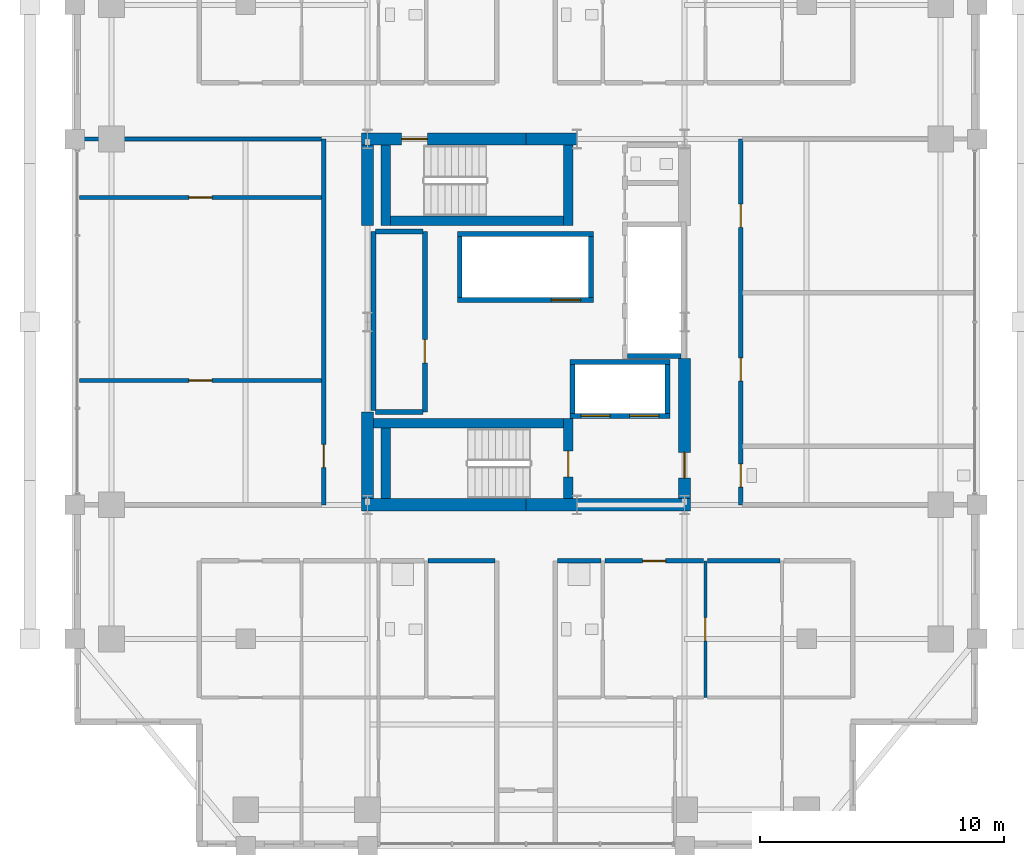
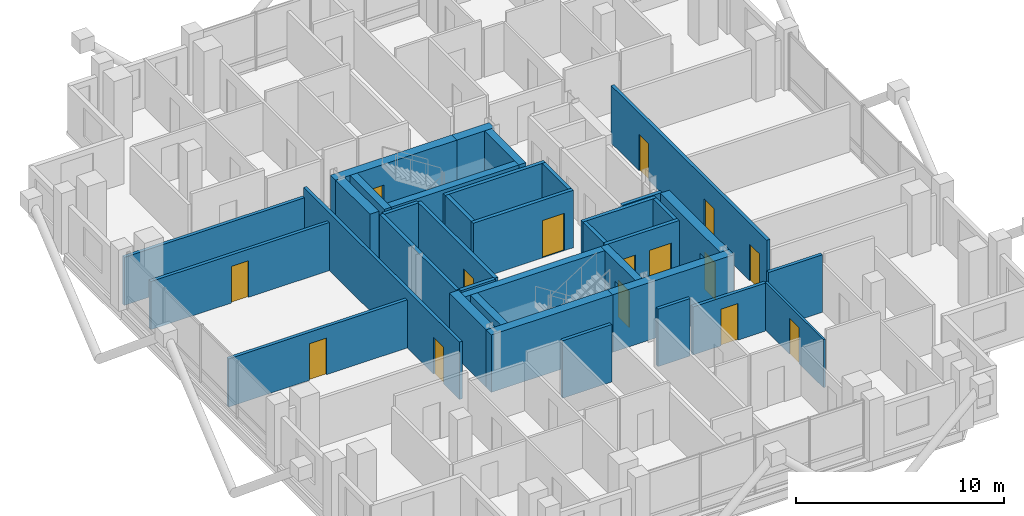
# One storey, part 19 of 24: 36 walls, 15 doors, 15 openings.
"""IFC4 building model written with IfcOpenShell, lengths in metres."""

from ifc_helpers import new_model, si_unit, direction, frame, frame_2d, origin, place, context, subcontext, project, spatial, rectangle, extrude, material, layer, layer_set, type_object, element, fill, save


model = new_model("IFC4")

# Units and contexts
model_context = context("Model", 3, precision=1e-05, world=origin(), true_north=direction((0.0, 1.0)))
body_context = subcontext(model_context, "Body", "Model", "MODEL_VIEW")
ifc_project = project(units=[si_unit("LENGTHUNIT", "METRE"), si_unit("AREAUNIT", "SQUARE_METRE"), si_unit("VOLUMEUNIT", "CUBIC_METRE"), si_unit("PLANEANGLEUNIT", "RADIAN"), si_unit("MASSUNIT", "GRAM", prefix="KILO")], contexts=[model_context])

# Site, building, storey
site_placement = place(None, origin())
site = spatial("IfcSite", under=ifc_project, at=site_placement, CompositionType="ELEMENT")
building_placement = place(site_placement, origin())
building = spatial("IfcBuilding", under=site, at=building_placement, Name="Barlavira Tower and Art Museum", CompositionType="ELEMENT")
storey_placement = place(building_placement, frame((0.0, 0.0, 194.39990234375)))
storey = spatial("IfcBuildingStorey", under=building, at=storey_placement, Name="L50", CompositionType="ELEMENT", Elevation=194.39990234375)

# Wall, opening, door
ifc_material_1 = material(Name="Gypsum acoustic stud partition", Category="gypsum")
ifc_layer_1 = layer(ifc_material_1, 0.1201171875, Name="Gypsum acoustic stud partition")
ifc_layer_set_1 = layer_set([ifc_layer_1], Name="Gypsum acoustic stud partition")
wall_type_1 = type_object("IfcWallType", Name="Apartment Internal Acoustic Partition 120", PredefinedType="PARTITIONING", material=ifc_layer_set_1)
wall_1_placement = place(storey_placement, frame((7.35009765625, -15.39990234375, 0.0), z_axis=(0.0, 0.0, 1.0), x_axis=(0.0, 1.0, 0.0)))
wall_1 = element("IfcWall", 1, at=wall_1_placement, inside=storey, type_object=wall_type_1, Name="L50 Partition Wall 21", PredefinedType="PARTITIONING", context=body_context, shape_type="SweptSolid", body=[
    extrude(rectangle(XDim=5.599853515625, YDim=0.1201171875, at=frame_2d((2.7998046875, 0.0))), origin(), (0.0, 0.0, 1.0), 2.826171875),
])
opening_1_placement = place(wall_1_placement, frame((2.324951171875, 0.0, 0.0)))
opening_1 = element("IfcOpeningElement", 2, at=opening_1_placement, cuts=wall_1, Name="Opening D-02", PredefinedType="OPENING", context=body_context, shape_type="SweptSolid", body=[
    extrude(rectangle(XDim=0.949951171875, YDim=2.10009765625, at=frame_2d((0.47509765625, 1.050048828125))), frame((0.0, 0.070068359375, 0.0), z_axis=(0.0, -1.0, 0.0), x_axis=(1.0, 0.0, 0.0)), (0.0, 0.0, 1.0), 0.14013671875),
])
ifc_material_2 = material(Name="Engineered coastal hardwood", Category="wood")
door_type_1 = type_object("IfcDoorType", Name="Living and Salon Glazed-Leaf Door 950x2100", OperationType="NOTDEFINED", PredefinedType="DOOR", material=ifc_material_2)
door_1_placement = place(opening_1_placement, origin())
door_1 = element("IfcDoor", 3, at=door_1_placement, inside=storey, type_object=door_type_1, Name="Apartment SE1 Kitchen Door", OperationType="SINGLE_SWING_LEFT", OverallHeight=2.10009765625, OverallWidth=0.949951171875, PredefinedType="DOOR", context=body_context, shape_type="SweptSolid", body=[
    extrude(rectangle(XDim=0.949951171875, YDim=2.10009765625, at=frame_2d((0.47509765625, 1.050048828125))), frame((0.0, 0.02490234375, 0.0), z_axis=(0.0, -1.0, 0.0), x_axis=(1.0, 0.0, 0.0)), (0.0, 0.0, 1.0), 0.050048828125),
])
fill(opening_1, door_1)

# Walls
ifc_material_3 = material(Name="Concrete C60", Category="concrete")
ifc_layer_2 = layer(ifc_material_3, 0.5, Name="Concrete C60")
ifc_layer_set_2 = layer_set([ifc_layer_2], Name="Concrete C60")
wall_type_2 = type_object("IfcWallType", Name="Core Structural Shear Wall 500 Concrete C60", PredefinedType="SHEAR", material=ifc_layer_set_2)
for number, where, z_axis, x_axis, name in (
    (4, (-6.75, -7.5, 0.0), (0.0, 0.0, 1.0), (1.0, 0.0, 0.0), "L50 Core Shear Wall CS-SW"),
    (5, (0.0, -7.5, 0.0), (0.0, 0.0, 1.0), (1.0, 0.0, 0.0), "L50 Core Shear Wall CS-SE"),
):
    element("IfcWall", number, at=place(storey_placement, frame(where, z_axis=z_axis, x_axis=x_axis)), inside=storey, type_object=wall_type_2, Name=name, PredefinedType="SHEAR", context=body_context, shape_type="SweptSolid", body=[
        extrude(rectangle(XDim=6.75, YDim=0.5, at=frame_2d((3.375, 0.0))), origin(), (0.0, 0.0, 1.0), 3.380126953125),
    ])

# Wall, opening, door
wall_2_placement = place(storey_placement, frame((-6.75, 7.5, 0.0), z_axis=(0.0, 0.0, 1.0), x_axis=(1.0, 0.0, 0.0)))
wall_2 = element("IfcWall", 6, at=wall_2_placement, inside=storey, type_object=wall_type_2, Name="L50 Core Shear Wall CS-NW", PredefinedType="SHEAR", context=body_context, shape_type="SweptSolid", body=[
    extrude(rectangle(XDim=6.75, YDim=0.5, at=frame_2d((3.375, 0.0))), origin(), (0.0, 0.0, 1.0), 3.380126953125),
])
opening_2_placement = place(wall_2_placement, frame((1.64990234375, 0.0, 0.0)))
opening_2 = element("IfcOpeningElement", 7, at=opening_2_placement, cuts=wall_2, Name="Opening FD-90", PredefinedType="OPENING", context=body_context, shape_type="SweptSolid", body=[
    extrude(rectangle(XDim=1.050048828125, YDim=2.14990234375, at=frame_2d((0.52490234375, 1.074951171875))), frame((0.0, 0.260009765625, 0.0), z_axis=(0.0, -1.0, 0.0), x_axis=(1.0, 0.0, 0.0)), (0.0, 0.0, 1.0), 0.52001953125),
])
ifc_material_4 = material(Name="Brushed stainless steel", Category="steel")
door_type_2 = type_object("IfcDoorType", Name="Stair and Refuge Fire Door 1050x2150 FD90S", OperationType="NOTDEFINED", PredefinedType="DOOR", material=ifc_material_4)
door_2_placement = place(opening_2_placement, origin())
door_2 = element("IfcDoor", 8, at=door_2_placement, inside=storey, type_object=door_type_2, Name="L50 Stair ST-T2 Fire Door", OperationType="SINGLE_SWING_LEFT", OverallHeight=2.14990234375, OverallWidth=1.050048828125, PredefinedType="DOOR", context=body_context, shape_type="SweptSolid", body=[
    extrude(rectangle(XDim=1.050048828125, YDim=2.14990234375, at=frame_2d((0.52490234375, 1.074951171875))), frame((0.0, 0.02490234375, 0.0), z_axis=(0.0, -1.0, 0.0), x_axis=(1.0, 0.0, 0.0)), (0.0, 0.0, 1.0), 0.050048828125),
])
fill(opening_2, door_2)

# Walls
wall_3_placement = place(storey_placement, frame((0.0, 7.5, 0.0), z_axis=(0.0, 0.0, 1.0), x_axis=(1.0, 0.0, 0.0)))
element("IfcWall", 9, at=wall_3_placement, inside=storey, type_object=wall_type_2, Name="L50 Core Shear Wall CS-EN", PredefinedType="SHEAR", context=body_context, shape_type="SweptSolid", body=[
    extrude(rectangle(XDim=2.080078125, YDim=0.5, at=frame_2d((1.0400390625, 0.0))), origin(), (0.0, 0.0, 1.0), 3.380126953125),
])
wall_4_placement = place(storey_placement, frame((-6.5, -7.25, 0.0), z_axis=(0.0, 0.0, 1.0), x_axis=(0.0, 1.0, 0.0)))
element("IfcWall", 10, at=wall_4_placement, inside=storey, type_object=wall_type_2, Name="L50 Core Shear Wall CS-W1", PredefinedType="SHEAR", context=body_context, shape_type="SweptSolid", body=[
    extrude(rectangle(XDim=3.550048828125, YDim=0.5, at=frame_2d((1.77490234375, 0.0))), origin(), (0.0, 0.0, 1.0), 3.380126953125),
])
wall_5_placement = place(storey_placement, frame((-6.5, 3.949951171875, 0.0), z_axis=(0.0, 0.0, 1.0), x_axis=(0.0, 1.0, 0.0)))
element("IfcWall", 11, at=wall_5_placement, inside=storey, type_object=wall_type_2, Name="L50 Core Shear Wall CS-W2", PredefinedType="SHEAR", context=body_context, shape_type="SweptSolid", body=[
    extrude(rectangle(XDim=3.300048828125, YDim=0.5, at=frame_2d((1.64990234375, 0.0))), origin(), (0.0, 0.0, 1.0), 3.380126953125),
])

# Wall, opening, door
wall_6_placement = place(storey_placement, frame((6.5, -7.25, 0.0), z_axis=(0.0, 0.0, 1.0), x_axis=(0.0, 1.0, 0.0)))
wall_6 = element("IfcWall", 12, at=wall_6_placement, inside=storey, type_object=wall_type_2, Name="L50 Core Shear Wall CS-E1", PredefinedType="SHEAR", context=body_context, shape_type="SweptSolid", body=[
    extrude(rectangle(XDim=5.75, YDim=0.5, at=frame_2d((2.875, 0.0))), origin(), (0.0, 0.0, 1.0), 3.380126953125),
])
opening_3_placement = place(wall_6_placement, frame((0.85009765625, 0.0, 0.0)))
opening_3 = element("IfcOpeningElement", 13, at=opening_3_placement, cuts=wall_6, Name="Opening FD-90", PredefinedType="OPENING", context=body_context, shape_type="SweptSolid", body=[
    extrude(rectangle(XDim=1.050048828125, YDim=2.14990234375, at=frame_2d((0.52490234375, 1.074951171875))), frame((0.0, 0.260009765625, 0.0), z_axis=(0.0, -1.0, 0.0), x_axis=(1.0, 0.0, 0.0)), (0.0, 0.0, 1.0), 0.52001953125),
])
door_3_placement = place(opening_3_placement, origin())
door_3 = element("IfcDoor", 14, at=door_3_placement, inside=storey, type_object=door_type_2, Name="L50 Firefighting Lobby Entry Fire Door", OperationType="SINGLE_SWING_LEFT", OverallHeight=2.14990234375, OverallWidth=1.050048828125, PredefinedType="DOOR", context=body_context, shape_type="SweptSolid", body=[
    extrude(rectangle(XDim=1.050048828125, YDim=2.14990234375, at=frame_2d((0.52490234375, 1.074951171875))), frame((0.0, 0.02490234375, 0.0), z_axis=(0.0, -1.0, 0.0), x_axis=(1.0, 0.0, 0.0)), (0.0, 0.0, 1.0), 0.050048828125),
])
fill(opening_3, door_3)

# Wall
ifc_material_5 = material(Name="Autoclaved aerated concrete masonry", Category="masonry")
ifc_layer_3 = layer(ifc_material_5, 0.199951171875, Name="Autoclaved aerated concrete masonry")
ifc_layer_set_3 = layer_set([ifc_layer_3], Name="Autoclaved aerated concrete masonry")
wall_type_3 = type_object("IfcWallType", Name="Fire Compartment and Shaft Wall 200", PredefinedType="SOLIDWALL", material=ifc_layer_set_3)
wall_7_placement = place(storey_placement, frame((4.14990234375, -1.389892578125, 0.0), z_axis=(0.0, 0.0, 1.0), x_axis=(1.0, 0.0, 0.0)))
element("IfcWall", 15, at=wall_7_placement, inside=storey, type_object=wall_type_3, Name="L50 Mid-Rise Lift South Shaft Wall", PredefinedType="SOLIDWALL", context=body_context, shape_type="SweptSolid", body=[
    extrude(rectangle(XDim=2.2001953125, YDim=0.199951171875, at=frame_2d((1.10009765625, 0.0))), origin(), (0.0, 0.0, 1.0), 3.380126953125),
])

# Wall, opening, door
wall_8_placement = place(storey_placement, frame((-2.820068359375, 0.89990234375, 0.0), z_axis=(0.0, 0.0, 1.0), x_axis=(1.0, 0.0, 0.0)))
wall_8 = element("IfcWall", 16, at=wall_8_placement, inside=storey, type_object=wall_type_3, Name="L50 High-Rise & Service Lift Front Wall", PredefinedType="SOLIDWALL", context=body_context, shape_type="SweptSolid", body=[
    extrude(rectangle(XDim=5.580078125, YDim=0.199951171875, at=frame_2d((2.7900390625, 0.0))), origin(), (0.0, 0.0, 1.0), 3.380126953125),
])
opening_4_placement = place(wall_8_placement, frame((3.860107421875, 0.0, 0.0)))
opening_4 = element("IfcOpeningElement", 17, at=opening_4_placement, cuts=wall_8, Name="Opening LD-F", PredefinedType="OPENING", context=body_context, shape_type="SweptSolid", body=[
    extrude(rectangle(XDim=1.199951171875, YDim=2.199951171875, at=frame_2d((0.60009765625, 1.10009765625))), frame((0.0, 0.10986328125, 0.0), z_axis=(0.0, -1.0, 0.0), x_axis=(1.0, 0.0, 0.0)), (0.0, 0.0, 1.0), 0.219970703125),
])
door_type_3 = type_object("IfcDoorType", Name="Firefighting and Service Lift Sliding Door 1200x2200 FD120", OperationType="NOTDEFINED", PredefinedType="DOOR", material=ifc_material_4)
door_4_placement = place(opening_4_placement, origin())
door_4 = element("IfcDoor", 18, at=door_4_placement, inside=storey, type_object=door_type_3, Name="L50 Stretcher Service Lift SL1 Sliding Door", OperationType="DOUBLE_DOOR_SLIDING", OverallHeight=2.199951171875, OverallWidth=1.199951171875, PredefinedType="DOOR", context=body_context, shape_type="SweptSolid", body=[
    extrude(rectangle(XDim=1.199951171875, YDim=2.199951171875, at=frame_2d((0.60009765625, 1.10009765625))), frame((0.0, 0.02490234375, 0.0), z_axis=(0.0, -1.0, 0.0), x_axis=(1.0, 0.0, 0.0)), (0.0, 0.0, 1.0), 0.050048828125),
])
fill(opening_4, door_4)

# Walls
wall_9_placement = place(storey_placement, frame((-2.820068359375, 3.60009765625, 0.0), z_axis=(0.0, 0.0, 1.0), x_axis=(1.0, 0.0, 0.0)))
element("IfcWall", 19, at=wall_9_placement, inside=storey, type_object=wall_type_3, Name="L50 High-Rise & Service Lift Back Wall", PredefinedType="SOLIDWALL", context=body_context, shape_type="SweptSolid", body=[
    extrude(rectangle(XDim=5.580078125, YDim=0.199951171875, at=frame_2d((2.7900390625, 0.0))), origin(), (0.0, 0.0, 1.0), 3.380126953125),
])
for number, where, z_axis, x_axis, name in (
    (20, (-2.719970703125, 1.0, 0.0), (0.0, 0.0, 1.0), (0.0, 1.0, 0.0), "L50 High-Rise & Service Lift West Wall"),
    (21, (2.659912109375, 1.0, 0.0), (0.0, 0.0, 1.0), (0.0, 1.0, 0.0), "L50 High-Rise & Service Lift East Wall"),
):
    element("IfcWall", number, at=place(storey_placement, frame(where, z_axis=z_axis, x_axis=x_axis)), inside=storey, type_object=wall_type_3, Name=name, PredefinedType="SOLIDWALL", context=body_context, shape_type="SweptSolid", body=[
        extrude(rectangle(XDim=2.5, YDim=0.199951171875, at=frame_2d((1.25, 0.0))), origin(), (0.0, 0.0, 1.0), 3.380126953125),
    ])

# Wall, openings, doors
wall_10_placement = place(storey_placement, frame((1.800048828125, -3.85009765625, 0.0), z_axis=(0.0, 0.0, 1.0), x_axis=(1.0, 0.0, 0.0)))
wall_10 = element("IfcWall", 22, at=wall_10_placement, inside=storey, type_object=wall_type_3, Name="L50 Firefighting Lift Front Shaft Wall", PredefinedType="SOLIDWALL", context=body_context, shape_type="SweptSolid", body=[
    extrude(rectangle(XDim=4.099853515625, YDim=0.199951171875, at=frame_2d((2.0498046875, 0.0))), origin(), (0.0, 0.0, 1.0), 3.380126953125),
])
opening_5_placement = place(wall_10_placement, frame((0.449951171875, 0.0, 0.0)))
opening_5 = element("IfcOpeningElement", 23, at=opening_5_placement, cuts=wall_10, Name="Opening LD-F", PredefinedType="OPENING", context=body_context, shape_type="SweptSolid", body=[
    extrude(rectangle(XDim=1.199951171875, YDim=2.199951171875, at=frame_2d((0.60009765625, 1.10009765625))), frame((0.0, 0.10986328125, 0.0), z_axis=(0.0, -1.0, 0.0), x_axis=(1.0, 0.0, 0.0)), (0.0, 0.0, 1.0), 0.219970703125),
])
opening_6_placement = place(wall_10_placement, frame((2.449951171875, 0.0, 0.0)))
opening_6 = element("IfcOpeningElement", 24, at=opening_6_placement, cuts=wall_10, Name="Opening LD-F", PredefinedType="OPENING", context=body_context, shape_type="SweptSolid", body=[
    extrude(rectangle(XDim=1.199951171875, YDim=2.199951171875, at=frame_2d((0.60009765625, 1.10009765625))), frame((0.0, 0.10986328125, 0.0), z_axis=(0.0, -1.0, 0.0), x_axis=(1.0, 0.0, 0.0)), (0.0, 0.0, 1.0), 0.219970703125),
])
door_5_placement = place(opening_5_placement, origin())
door_5 = element("IfcDoor", 25, at=door_5_placement, inside=storey, type_object=door_type_3, Name="L50 Firefighting Lift FF1 Sliding Door", OperationType="DOUBLE_DOOR_SLIDING", OverallHeight=2.199951171875, OverallWidth=1.199951171875, PredefinedType="DOOR", context=body_context, shape_type="SweptSolid", body=[
    extrude(rectangle(XDim=1.199951171875, YDim=2.199951171875, at=frame_2d((0.60009765625, 1.10009765625))), frame((0.0, 0.02490234375, 0.0), z_axis=(0.0, -1.0, 0.0), x_axis=(1.0, 0.0, 0.0)), (0.0, 0.0, 1.0), 0.050048828125),
])
fill(opening_5, door_5)
door_6_placement = place(opening_6_placement, origin())
door_6 = element("IfcDoor", 26, at=door_6_placement, inside=storey, type_object=door_type_3, Name="L50 Firefighting Lift FF2 Sliding Door", OperationType="DOUBLE_DOOR_SLIDING", OverallHeight=2.199951171875, OverallWidth=1.199951171875, PredefinedType="DOOR", context=body_context, shape_type="SweptSolid", body=[
    extrude(rectangle(XDim=1.199951171875, YDim=2.199951171875, at=frame_2d((0.60009765625, 1.10009765625))), frame((0.0, 0.02490234375, 0.0), z_axis=(0.0, -1.0, 0.0), x_axis=(1.0, 0.0, 0.0)), (0.0, 0.0, 1.0), 0.050048828125),
])
fill(opening_6, door_6)

# Walls
wall_11_placement = place(storey_placement, frame((1.800048828125, -1.64990234375, 0.0), z_axis=(0.0, 0.0, 1.0), x_axis=(1.0, 0.0, 0.0)))
element("IfcWall", 27, at=wall_11_placement, inside=storey, type_object=wall_type_3, Name="L50 Firefighting Lift Back Shaft Wall", PredefinedType="SOLIDWALL", context=body_context, shape_type="SweptSolid", body=[
    extrude(rectangle(XDim=4.099853515625, YDim=0.199951171875, at=frame_2d((2.0498046875, 0.0))), origin(), (0.0, 0.0, 1.0), 3.380126953125),
])
for number, where, z_axis, x_axis, name in (
    (28, (1.89990234375, -3.75, 0.0), (0.0, 0.0, 1.0), (0.0, 1.0, 0.0), "L50 Firefighting Lift West Shaft Wall"),
    (29, (5.800048828125, -3.75, 0.0), (0.0, 0.0, 1.0), (0.0, 1.0, 0.0), "L50 Firefighting Lift East Shaft Wall"),
):
    element("IfcWall", number, at=place(storey_placement, frame(where, z_axis=z_axis, x_axis=x_axis)), inside=storey, type_object=wall_type_3, Name=name, PredefinedType="SOLIDWALL", context=body_context, shape_type="SweptSolid", body=[
        extrude(rectangle(XDim=2.0, YDim=0.199951171875, at=frame_2d((1.0, 0.0))), origin(), (0.0, 0.0, 1.0), 3.380126953125),
    ])
wall_12_placement = place(storey_placement, frame((-6.25, -3.639892578125, 0.0), z_axis=(0.0, 0.0, 1.0), x_axis=(0.0, 1.0, 0.0)))
element("IfcWall", 30, at=wall_12_placement, inside=storey, type_object=wall_type_3, Name="L50 Partition Wall 6", PredefinedType="SOLIDWALL", context=body_context, shape_type="SweptSolid", body=[
    extrude(rectangle(XDim=7.33984375, YDim=0.199951171875, at=frame_2d((3.669921875, 0.0))), origin(), (0.0, 0.0, 1.0), 3.380126953125),
])

# Wall, opening, door
wall_13_placement = place(storey_placement, frame((-4.14990234375, -3.699951171875, 0.0), z_axis=(0.0, 0.0, 1.0), x_axis=(0.0, 1.0, 0.0)))
wall_13 = element("IfcWall", 31, at=wall_13_placement, inside=storey, type_object=wall_type_3, Name="L50 Partition Wall 9", PredefinedType="SOLIDWALL", context=body_context, shape_type="SweptSolid", body=[
    extrude(rectangle(XDim=7.39990234375, YDim=0.199951171875, at=frame_2d((3.699951171875, 0.0))), origin(), (0.0, 0.0, 1.0), 3.380126953125),
])
opening_7_placement = place(wall_13_placement, frame((2.02490234375, 0.0, 0.0)))
opening_7 = element("IfcOpeningElement", 32, at=opening_7_placement, cuts=wall_13, Name="Opening FD-60", PredefinedType="OPENING", context=body_context, shape_type="SweptSolid", body=[
    extrude(rectangle(XDim=0.949951171875, YDim=2.14990234375, at=frame_2d((0.47509765625, 1.074951171875))), frame((0.0, 0.10986328125, 0.0), z_axis=(0.0, -1.0, 0.0), x_axis=(1.0, 0.0, 0.0)), (0.0, 0.0, 1.0), 0.219970703125),
])
door_type_4 = type_object("IfcDoorType", Name="Apartment Entrance and Riser Fire Door 950x2150 FD60S", OperationType="NOTDEFINED", PredefinedType="DOOR", material=ifc_material_4)
door_7_placement = place(opening_7_placement, origin())
door_7 = element("IfcDoor", 33, at=door_7_placement, inside=storey, type_object=door_type_4, Name="Reclaimed Core Tenant Storage Vault Door", OperationType="SINGLE_SWING_RIGHT", OverallHeight=2.14990234375, OverallWidth=0.949951171875, PredefinedType="DOOR", context=body_context, shape_type="SweptSolid", body=[
    extrude(rectangle(XDim=0.949951171875, YDim=2.14990234375, at=frame_2d((0.47509765625, 1.074951171875))), frame((0.0, 0.02490234375, 0.0), z_axis=(0.0, -1.0, 0.0), x_axis=(1.0, 0.0, 0.0)), (0.0, 0.0, 1.0), 0.050048828125),
])
fill(opening_7, door_7)

# Walls
for number, where, z_axis, x_axis, name in (
    (34, (-6.169921875, -3.699951171875, 0.0), (0.0, 0.0, 1.0), (1.0, 0.0, 0.0), "L50 Partition Wall 49"),
    (35, (-6.169921875, 3.699951171875, 0.0), (0.0, 0.0, 1.0), (1.0, 0.0, 0.0), "L50 Partition Wall 52"),
):
    element("IfcWall", number, at=place(storey_placement, frame(where, z_axis=z_axis, x_axis=x_axis)), inside=storey, type_object=wall_type_3, Name=name, PredefinedType="SOLIDWALL", context=body_context, shape_type="SweptSolid", body=[
        extrude(rectangle(XDim=1.93994140625, YDim=0.199951171875, at=frame_2d((0.969970703125, 0.0))), origin(), (0.0, 0.0, 1.0), 3.380126953125),
    ])

# Wall, opening, door
ifc_layer_4 = layer(ifc_material_1, 0.179931640625, Name="Gypsum acoustic stud partition")
ifc_layer_set_4 = layer_set([ifc_layer_4], Name="Gypsum acoustic stud partition")
wall_type_4 = type_object("IfcWallType", Name="Inter-Tenancy Party Partition Wall 180", PredefinedType="PARTITIONING", material=ifc_layer_set_4)
wall_14_placement = place(storey_placement, frame((-8.300048828125, -7.5, 0.0), z_axis=(0.0, 0.0, 1.0), x_axis=(0.0, 1.0, 0.0)))
wall_14 = element("IfcWall", 36, at=wall_14_placement, inside=storey, type_object=wall_type_4, Name="L50 Partition Wall 5", PredefinedType="PARTITIONING", context=body_context, shape_type="SweptSolid", body=[
    extrude(rectangle(XDim=15.0, YDim=0.179931640625, at=frame_2d((7.5, 0.0))), origin(), (0.0, 0.0, 1.0), 3.380126953125),
])
opening_8_placement = place(wall_14_placement, frame((1.52490234375, 0.0, 0.0)))
opening_8 = element("IfcOpeningElement", 37, at=opening_8_placement, cuts=wall_14, Name="Opening FD-60", PredefinedType="OPENING", context=body_context, shape_type="SweptSolid", body=[
    extrude(rectangle(XDim=0.949951171875, YDim=2.14990234375, at=frame_2d((0.47509765625, 1.074951171875))), frame((0.0, 0.10009765625, 0.0), z_axis=(0.0, -1.0, 0.0), x_axis=(1.0, 0.0, 0.0)), (0.0, 0.0, 1.0), 0.199951171875),
])
door_8_placement = place(opening_8_placement, origin())
door_8 = element("IfcDoor", 38, at=door_8_placement, inside=storey, type_object=door_type_4, Name="Resident Sky Coworking Studio Door", OperationType="SINGLE_SWING_LEFT", OverallHeight=2.14990234375, OverallWidth=0.949951171875, PredefinedType="DOOR", context=body_context, shape_type="SweptSolid", body=[
    extrude(rectangle(XDim=0.949951171875, YDim=2.14990234375, at=frame_2d((0.47509765625, 1.074951171875))), frame((0.0, 0.02490234375, 0.0), z_axis=(0.0, -1.0, 0.0), x_axis=(1.0, 0.0, 0.0)), (0.0, 0.0, 1.0), 0.050048828125),
])
fill(opening_8, door_8)

# Wall, openings, doors
wall_15_placement = place(storey_placement, frame((8.800048828125, -7.5, 0.0), z_axis=(0.0, 0.0, 1.0), x_axis=(0.0, 1.0, 0.0)))
wall_15 = element("IfcWall", 39, at=wall_15_placement, inside=storey, type_object=wall_type_4, Name="L50 Partition Wall 23", PredefinedType="PARTITIONING", context=body_context, shape_type="SweptSolid", body=[
    extrude(rectangle(XDim=15.0, YDim=0.179931640625, at=frame_2d((7.5, 0.0))), origin(), (0.0, 0.0, 1.0), 3.380126953125),
])
opening_9_placement = place(wall_15_placement, frame((0.72509765625, 0.0, 0.0)))
opening_9 = element("IfcOpeningElement", 40, at=opening_9_placement, cuts=wall_15, Name="Opening FD-60", PredefinedType="OPENING", context=body_context, shape_type="SweptSolid", body=[
    extrude(rectangle(XDim=0.949951171875, YDim=2.14990234375, at=frame_2d((0.47509765625, 1.074951171875))), frame((0.0, 0.10009765625, 0.0), z_axis=(0.0, -1.0, 0.0), x_axis=(1.0, 0.0, 0.0)), (0.0, 0.0, 1.0), 0.199951171875),
])
opening_10_placement = place(wall_15_placement, frame((5.074951171875, 0.0, 0.0)))
opening_10 = element("IfcOpeningElement", 41, at=opening_10_placement, cuts=wall_15, Name="Opening FD-60", PredefinedType="OPENING", context=body_context, shape_type="SweptSolid", body=[
    extrude(rectangle(XDim=0.949951171875, YDim=2.14990234375, at=frame_2d((0.47509765625, 1.074951171875))), frame((0.0, 0.10009765625, 0.0), z_axis=(0.0, -1.0, 0.0), x_axis=(1.0, 0.0, 0.0)), (0.0, 0.0, 1.0), 0.199951171875),
])
opening_11_placement = place(wall_15_placement, frame((11.375, 0.0, 0.0)))
opening_11 = element("IfcOpeningElement", 42, at=opening_11_placement, cuts=wall_15, Name="Opening FD-60", PredefinedType="OPENING", context=body_context, shape_type="SweptSolid", body=[
    extrude(rectangle(XDim=0.949951171875, YDim=2.14990234375, at=frame_2d((0.47509765625, 1.074951171875))), frame((0.0, 0.10009765625, 0.0), z_axis=(0.0, -1.0, 0.0), x_axis=(1.0, 0.0, 0.0)), (0.0, 0.0, 1.0), 0.199951171875),
])
door_9_placement = place(opening_9_placement, origin())
door_9 = element("IfcDoor", 43, at=door_9_placement, inside=storey, type_object=door_type_4, Name="Wellness Changing and Accessible Shower WC Door", OperationType="SINGLE_SWING_RIGHT", OverallHeight=2.14990234375, OverallWidth=0.949951171875, PredefinedType="DOOR", context=body_context, shape_type="SweptSolid", body=[
    extrude(rectangle(XDim=0.949951171875, YDim=2.14990234375, at=frame_2d((0.47509765625, 1.074951171875))), frame((0.0, 0.02490234375, 0.0), z_axis=(0.0, -1.0, 0.0), x_axis=(1.0, 0.0, 0.0)), (0.0, 0.0, 1.0), 0.050048828125),
])
fill(opening_9, door_9)
door_10_placement = place(opening_10_placement, origin())
door_10 = element("IfcDoor", 44, at=door_10_placement, inside=storey, type_object=door_type_4, Name="Resident Ocean-View Fitness Studio Door", OperationType="SINGLE_SWING_LEFT", OverallHeight=2.14990234375, OverallWidth=0.949951171875, PredefinedType="DOOR", context=body_context, shape_type="SweptSolid", body=[
    extrude(rectangle(XDim=0.949951171875, YDim=2.14990234375, at=frame_2d((0.47509765625, 1.074951171875))), frame((0.0, 0.02490234375, 0.0), z_axis=(0.0, -1.0, 0.0), x_axis=(1.0, 0.0, 0.0)), (0.0, 0.0, 1.0), 0.050048828125),
])
fill(opening_10, door_10)
door_11_placement = place(opening_11_placement, origin())
door_11 = element("IfcDoor", 45, at=door_11_placement, inside=storey, type_object=door_type_4, Name="Coastal Hydrotherapy and Yoga Lounge Door", OperationType="SINGLE_SWING_RIGHT", OverallHeight=2.14990234375, OverallWidth=0.949951171875, PredefinedType="DOOR", context=body_context, shape_type="SweptSolid", body=[
    extrude(rectangle(XDim=0.949951171875, YDim=2.14990234375, at=frame_2d((0.47509765625, 1.074951171875))), frame((0.0, 0.02490234375, 0.0), z_axis=(0.0, -1.0, 0.0), x_axis=(1.0, 0.0, 0.0)), (0.0, 0.0, 1.0), 0.050048828125),
])
fill(opening_11, door_11)

# Walls
wall_16_placement = place(storey_placement, frame((-4.02001953125, -9.800048828125, 0.0), z_axis=(0.0, 0.0, 1.0), x_axis=(1.0, 0.0, 0.0)))
element("IfcWall", 46, at=wall_16_placement, inside=storey, type_object=wall_type_4, Name="L50 Partition Wall 41", PredefinedType="PARTITIONING", context=body_context, shape_type="SweptSolid", body=[
    extrude(rectangle(XDim=2.739990234375, YDim=0.179931640625, at=frame_2d((1.3701171875, 0.0))), origin(), (0.0, 0.0, 1.0), 3.380126953125),
])
wall_17_placement = place(storey_placement, frame((1.280029296875, -9.800048828125, 0.0), z_axis=(0.0, 0.0, 1.0), x_axis=(1.0, 0.0, 0.0)))
element("IfcWall", 47, at=wall_17_placement, inside=storey, type_object=wall_type_4, Name="L50 Partition Wall 42", PredefinedType="PARTITIONING", context=body_context, shape_type="SweptSolid", body=[
    extrude(rectangle(XDim=1.7900390625, YDim=0.179931640625, at=frame_2d((0.89501953125, 0.0))), origin(), (0.0, 0.0, 1.0), 3.380126953125),
])

# Wall, opening, door
wall_18_placement = place(storey_placement, frame((3.22998046875, -9.800048828125, 0.0), z_axis=(0.0, 0.0, 1.0), x_axis=(1.0, 0.0, 0.0)))
wall_18 = element("IfcWall", 48, at=wall_18_placement, inside=storey, type_object=wall_type_4, Name="L50 Partition Wall 43", PredefinedType="PARTITIONING", context=body_context, shape_type="SweptSolid", body=[
    extrude(rectangle(XDim=4.0400390625, YDim=0.179931640625, at=frame_2d((2.02001953125, 0.0))), origin(), (0.0, 0.0, 1.0), 2.826171875),
])
opening_12_placement = place(wall_18_placement, frame((1.544921875, 0.0, 0.0)))
opening_12 = element("IfcOpeningElement", 49, at=opening_12_placement, cuts=wall_18, Name="Opening FD-60", PredefinedType="OPENING", context=body_context, shape_type="SweptSolid", body=[
    extrude(rectangle(XDim=0.949951171875, YDim=2.14990234375, at=frame_2d((0.47509765625, 1.074951171875))), frame((0.0, 0.10009765625, 0.0), z_axis=(0.0, -1.0, 0.0), x_axis=(1.0, 0.0, 0.0)), (0.0, 0.0, 1.0), 0.199951171875),
])
door_12_placement = place(opening_12_placement, origin())
door_12 = element("IfcDoor", 50, at=door_12_placement, inside=storey, type_object=door_type_4, Name="Apartment Entrance Hall SE1 Door", OperationType="SINGLE_SWING_RIGHT", OverallHeight=2.14990234375, OverallWidth=0.949951171875, PredefinedType="DOOR", context=body_context, shape_type="SweptSolid", body=[
    extrude(rectangle(XDim=0.949951171875, YDim=2.14990234375, at=frame_2d((0.47509765625, 1.074951171875))), frame((0.0, 0.02490234375, 0.0), z_axis=(0.0, -1.0, 0.0), x_axis=(1.0, 0.0, 0.0)), (0.0, 0.0, 1.0), 0.050048828125),
])
fill(opening_12, door_12)

# Wall
wall_19_placement = place(storey_placement, frame((7.429931640625, -9.800048828125, 0.0), z_axis=(0.0, 0.0, 1.0), x_axis=(1.0, 0.0, 0.0)))
element("IfcWall", 51, at=wall_19_placement, inside=storey, type_object=wall_type_4, Name="L50 Partition Wall 44", PredefinedType="PARTITIONING", context=body_context, shape_type="SweptSolid", body=[
    extrude(rectangle(XDim=2.989990234375, YDim=0.179931640625, at=frame_2d((1.4951171875, 0.0))), origin(), (0.0, 0.0, 1.0), 3.380126953125),
])

# Wall, opening, door
wall_20_placement = place(storey_placement, frame((-18.320068359375, -2.39990234375, 0.0), z_axis=(0.0, 0.0, 1.0), x_axis=(1.0, 0.0, 0.0)))
wall_20 = element("IfcWall", 52, at=wall_20_placement, inside=storey, type_object=wall_type_4, Name="L50 Partition Wall 50", PredefinedType="PARTITIONING", context=body_context, shape_type="SweptSolid", body=[
    extrude(rectangle(XDim=9.940185546875, YDim=0.179931640625, at=frame_2d((4.97021484375, 0.0))), origin(), (0.0, 0.0, 1.0), 2.826171875),
])
opening_13_placement = place(wall_20_placement, frame((4.4951171875, 0.0, 0.0)))
opening_13 = element("IfcOpeningElement", 53, at=opening_13_placement, cuts=wall_20, Name="Opening FD-60", PredefinedType="OPENING", context=body_context, shape_type="SweptSolid", body=[
    extrude(rectangle(XDim=0.949951171875, YDim=2.14990234375, at=frame_2d((0.47509765625, 1.074951171875))), frame((0.0, 0.10009765625, 0.0), z_axis=(0.0, -1.0, 0.0), x_axis=(1.0, 0.0, 0.0)), (0.0, 0.0, 1.0), 0.199951171875),
])
door_13_placement = place(opening_13_placement, origin())
door_13 = element("IfcDoor", 54, at=door_13_placement, inside=storey, type_object=door_type_4, Name="Atlantic Horizon Boardroom Door", OperationType="SINGLE_SWING_RIGHT", OverallHeight=2.14990234375, OverallWidth=0.949951171875, PredefinedType="DOOR", context=body_context, shape_type="SweptSolid", body=[
    extrude(rectangle(XDim=0.949951171875, YDim=2.14990234375, at=frame_2d((0.47509765625, 1.074951171875))), frame((0.0, 0.02490234375, 0.0), z_axis=(0.0, -1.0, 0.0), x_axis=(1.0, 0.0, 0.0)), (0.0, 0.0, 1.0), 0.050048828125),
])
fill(opening_13, door_13)

wall_21_placement = place(storey_placement, frame((-18.320068359375, 5.10009765625, 0.0), z_axis=(0.0, 0.0, 1.0), x_axis=(1.0, 0.0, 0.0)))
wall_21 = element("IfcWall", 55, at=wall_21_placement, inside=storey, type_object=wall_type_4, Name="L50 Partition Wall 53", PredefinedType="PARTITIONING", context=body_context, shape_type="SweptSolid", body=[
    extrude(rectangle(XDim=9.940185546875, YDim=0.179931640625, at=frame_2d((4.97021484375, 0.0))), origin(), (0.0, 0.0, 1.0), 2.826171875),
])
opening_14_placement = place(wall_21_placement, frame((4.4951171875, 0.0, 0.0)))
opening_14 = element("IfcOpeningElement", 56, at=opening_14_placement, cuts=wall_21, Name="Opening FD-60", PredefinedType="OPENING", context=body_context, shape_type="SweptSolid", body=[
    extrude(rectangle(XDim=0.949951171875, YDim=2.14990234375, at=frame_2d((0.47509765625, 1.074951171875))), frame((0.0, 0.10009765625, 0.0), z_axis=(0.0, -1.0, 0.0), x_axis=(1.0, 0.0, 0.0)), (0.0, 0.0, 1.0), 0.199951171875),
])
door_14_placement = place(opening_14_placement, origin())
door_14 = element("IfcDoor", 57, at=door_14_placement, inside=storey, type_object=door_type_4, Name="Shared Coworking Espresso Pantry Door", OperationType="SINGLE_SWING_LEFT", OverallHeight=2.14990234375, OverallWidth=0.949951171875, PredefinedType="DOOR", context=body_context, shape_type="SweptSolid", body=[
    extrude(rectangle(XDim=0.949951171875, YDim=2.14990234375, at=frame_2d((0.47509765625, 1.074951171875))), frame((0.0, 0.02490234375, 0.0), z_axis=(0.0, -1.0, 0.0), x_axis=(1.0, 0.0, 0.0)), (0.0, 0.0, 1.0), 0.050048828125),
])
fill(opening_14, door_14)

# Walls
wall_22_placement = place(storey_placement, frame((-18.39990234375, 7.5, 0.0), z_axis=(0.0, 0.0, 1.0), x_axis=(1.0, 0.0, 0.0)))
element("IfcWall", 58, at=wall_22_placement, inside=storey, type_object=wall_type_4, Name="L50 Partition Wall 56", PredefinedType="PARTITIONING", context=body_context, shape_type="SweptSolid", body=[
    extrude(rectangle(XDim=10.02001953125, YDim=0.179931640625, at=frame_2d((5.010009765625, 0.0))), origin(), (0.0, 0.0, 1.0), 2.826171875),
])
ifc_material_6 = material(Name="Concrete C55", Category="concrete")
ifc_layer_5 = layer(ifc_material_6, 0.39990234375, Name="Concrete C55")
ifc_layer_set_5 = layer_set([ifc_layer_5], Name="Concrete C55")
wall_type_5 = type_object("IfcWallType", Name="Upper Core Shear Wall 400 Concrete C55", PredefinedType="SHEAR", material=ifc_layer_set_5)
wall_23_placement = place(storey_placement, frame((-5.75, -7.25, 0.0), z_axis=(0.0, 0.0, 1.0), x_axis=(0.0, 1.0, 0.0)))
element("IfcWall", 59, at=wall_23_placement, inside=storey, type_object=wall_type_5, Name="L50 ST-T1 West Half-Landing Wall", PredefinedType="SHEAR", context=body_context, shape_type="SweptSolid", body=[
    extrude(rectangle(XDim=2.89990234375, YDim=0.39990234375, at=frame_2d((1.449951171875, 0.0))), origin(), (0.0, 0.0, 1.0), 3.380126953125),
])
wall_24_placement = place(storey_placement, frame((-6.25, -4.14990234375, 0.0), z_axis=(0.0, 0.0, 1.0), x_axis=(1.0, 0.0, 0.0)))
element("IfcWall", 60, at=wall_24_placement, inside=storey, type_object=wall_type_5, Name="L50 ST-T1 North Shaft Wall", PredefinedType="SHEAR", context=body_context, shape_type="SweptSolid", body=[
    extrude(rectangle(XDim=7.780029296875, YDim=0.39990234375, at=frame_2d((3.89013671875, 0.0))), origin(), (0.0, 0.0, 1.0), 3.380126953125),
])

# Wall, opening, door
wall_25_placement = place(storey_placement, frame((1.72998046875, -7.25, 0.0), z_axis=(0.0, 0.0, 1.0), x_axis=(0.0, 1.0, 0.0)))
wall_25 = element("IfcWall", 61, at=wall_25_placement, inside=storey, type_object=wall_type_5, Name="L50 ST-T1 East Landing Wall", PredefinedType="SHEAR", context=body_context, shape_type="SweptSolid", body=[
    extrude(rectangle(XDim=3.300048828125, YDim=0.39990234375, at=frame_2d((1.64990234375, 0.0))), origin(), (0.0, 0.0, 1.0), 3.380126953125),
])
opening_15_placement = place(wall_25_placement, frame((0.89990234375, 0.0, 0.0)))
opening_15 = element("IfcOpeningElement", 62, at=opening_15_placement, cuts=wall_25, Name="Opening FD-90", PredefinedType="OPENING", context=body_context, shape_type="SweptSolid", body=[
    extrude(rectangle(XDim=1.050048828125, YDim=2.14990234375, at=frame_2d((0.52490234375, 1.074951171875))), frame((0.0, 0.2099609375, 0.0), z_axis=(0.0, -1.0, 0.0), x_axis=(1.0, 0.0, 0.0)), (0.0, 0.0, 1.0), 0.419921875),
])
door_15_placement = place(opening_15_placement, origin())
door_15 = element("IfcDoor", 63, at=door_15_placement, inside=storey, type_object=door_type_2, Name="L50 Stair ST-T1 Fire Door", OperationType="SINGLE_SWING_RIGHT", OverallHeight=2.14990234375, OverallWidth=1.050048828125, PredefinedType="DOOR", context=body_context, shape_type="SweptSolid", body=[
    extrude(rectangle(XDim=1.050048828125, YDim=2.14990234375, at=frame_2d((0.52490234375, 1.074951171875))), frame((0.0, 0.02490234375, 0.0), z_axis=(0.0, -1.0, 0.0), x_axis=(1.0, 0.0, 0.0)), (0.0, 0.0, 1.0), 0.050048828125),
])
fill(opening_15, door_15)

# Walls
wall_26_placement = place(storey_placement, frame((-5.550048828125, 4.14990234375, 0.0), z_axis=(0.0, 0.0, 1.0), x_axis=(1.0, 0.0, 0.0)))
element("IfcWall", 64, at=wall_26_placement, inside=storey, type_object=wall_type_5, Name="L50 ST-T2 South Shaft Wall", PredefinedType="SHEAR", context=body_context, shape_type="SweptSolid", body=[
    extrude(rectangle(XDim=7.080078125, YDim=0.39990234375, at=frame_2d((3.5400390625, 0.0))), origin(), (0.0, 0.0, 1.0), 3.380126953125),
])
for number, where, z_axis, x_axis, name in (
    (65, (1.72998046875, 3.949951171875, 0.0), (0.0, 0.0, 1.0), (0.0, 1.0, 0.0), "L50 ST-T2 East Half-Landing Wall"),
    (66, (-5.75, 3.949951171875, 0.0), (0.0, 0.0, 1.0), (0.0, 1.0, 0.0), "L50 ST-T2 West Shaft Wall"),
):
    element("IfcWall", number, at=place(storey_placement, frame(where, z_axis=z_axis, x_axis=x_axis)), inside=storey, type_object=wall_type_5, Name=name, PredefinedType="SHEAR", context=body_context, shape_type="SweptSolid", body=[
        extrude(rectangle(XDim=3.300048828125, YDim=0.39990234375, at=frame_2d((1.64990234375, 0.0))), origin(), (0.0, 0.0, 1.0), 3.380126953125),
    ])

save(model, "model.ifc")
